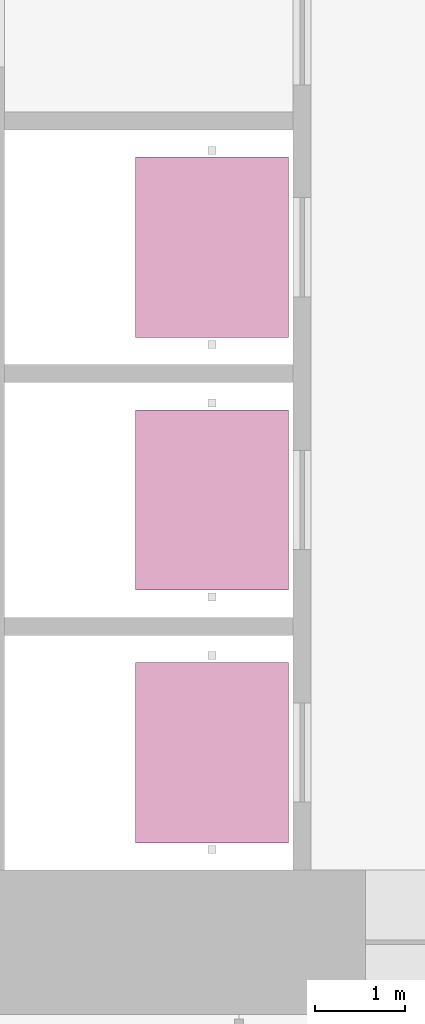
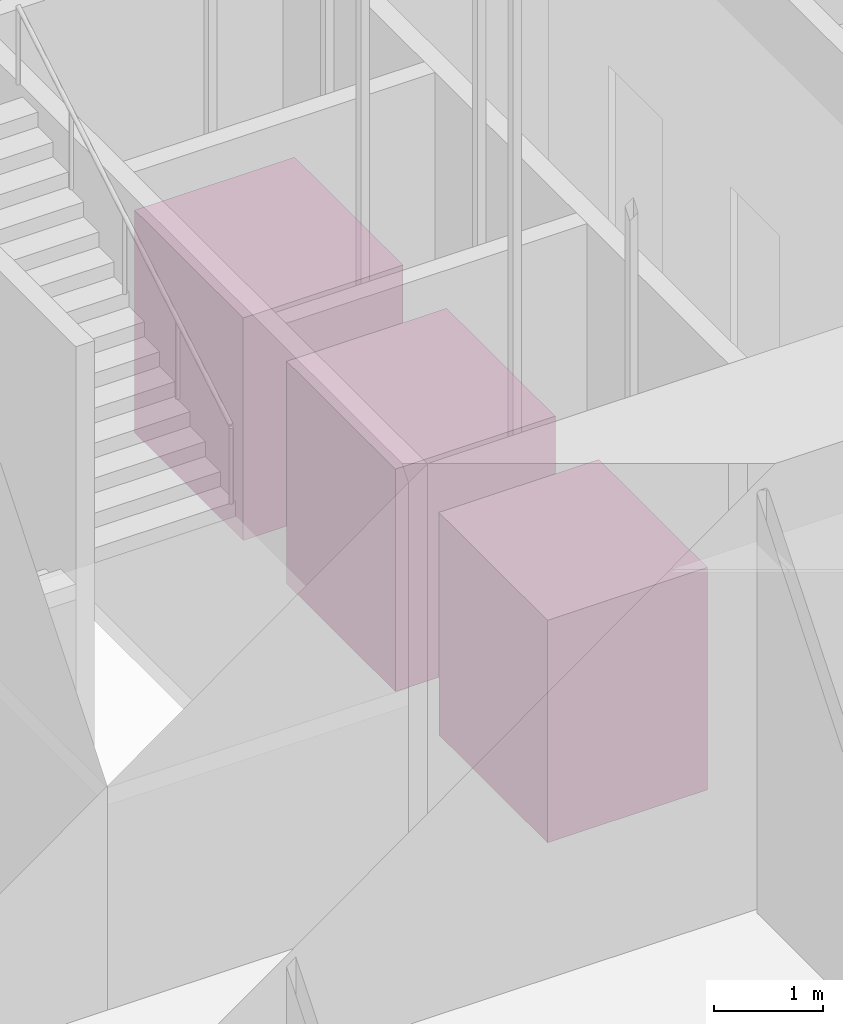
# One storey, part 16 of 16: 3 transport elements.
"""IFC4 building model written with IfcOpenShell, lengths in metres."""

from ifc_helpers import new_model, si_unit, direction, frame, origin, origin_2d, place, context, subcontext, project, spatial, rectangle, extrude, material, type_object, element, save


model = new_model("IFC4")

# Units and contexts
model_context = context("Model", 3, precision=1e-05, world=origin(), true_north=direction((0.0, 1.0)))
body_context = subcontext(model_context, "Body", "Model", "MODEL_VIEW")
ifc_project = project(units=[si_unit("LENGTHUNIT", "METRE"), si_unit("AREAUNIT", "SQUARE_METRE"), si_unit("VOLUMEUNIT", "CUBIC_METRE"), si_unit("PLANEANGLEUNIT", "RADIAN"), si_unit("MASSUNIT", "GRAM", prefix="KILO")], contexts=[model_context])

# Site, building, storey
site_placement = place(None, origin())
site = spatial("IfcSite", under=ifc_project, at=site_placement, CompositionType="ELEMENT")
building_placement = place(site_placement, origin())
building = spatial("IfcBuilding", under=site, at=building_placement, Name="Svetlomir Tower", CompositionType="ELEMENT")
storey_placement = place(building_placement, frame((0.0, 0.0, 91.5)))
storey = spatial("IfcBuildingStorey", under=building, at=storey_placement, Name="L21", CompositionType="ELEMENT", Elevation=91.5)

# Transport elements
ifc_material = material(Name="Steel lift car", Category="steel")
transport_element_type = type_object("IfcTransportElementType", Name="LIFT LOCAL", PredefinedType="ELEVATOR", material=ifc_material)
for number, where, z_axis, x_axis, name in (
    (1, (18.300048828125, 13.89990234375, 0.0), (0.0, 0.0, 1.0), (1.0, 0.0, 0.0), "Lift LB1"),
    (2, (18.300048828125, 16.699951171875, 0.0), (0.0, 0.0, 1.0), (1.0, 0.0, 0.0), "Lift LB2"),
    (3, (18.300048828125, 19.5, 0.0), (0.0, 0.0, 1.0), (1.0, 0.0, 0.0), "Lift LB3"),
):
    element("IfcTransportElement", number, at=place(storey_placement, frame(where, z_axis=z_axis, x_axis=x_axis)), inside=storey, type_object=transport_element_type, Name=name, PredefinedType="ELEVATOR", context=body_context, shape_type="SweptSolid", body=[
        extrude(rectangle(XDim=1.699951171875, YDim=2.0, at=origin_2d()), origin(), (0.0, 0.0, 1.0), 2.5),
    ])

save(model, "model.ifc")
